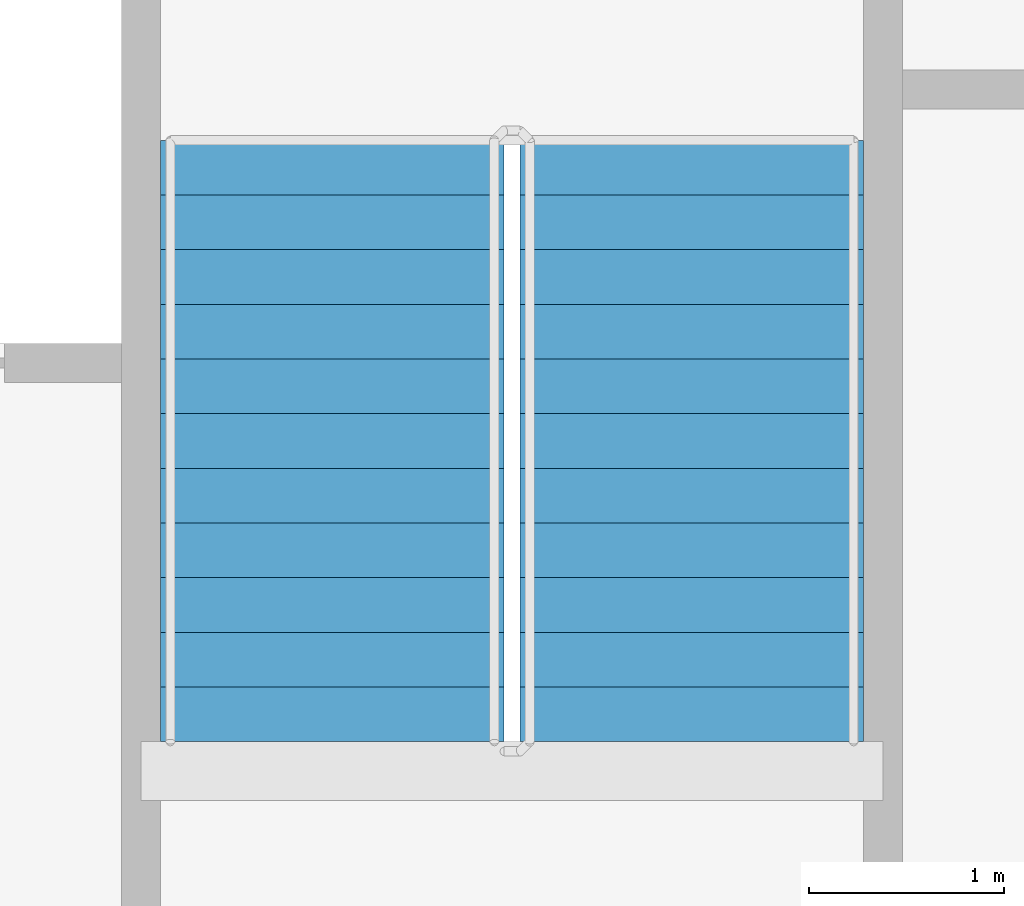
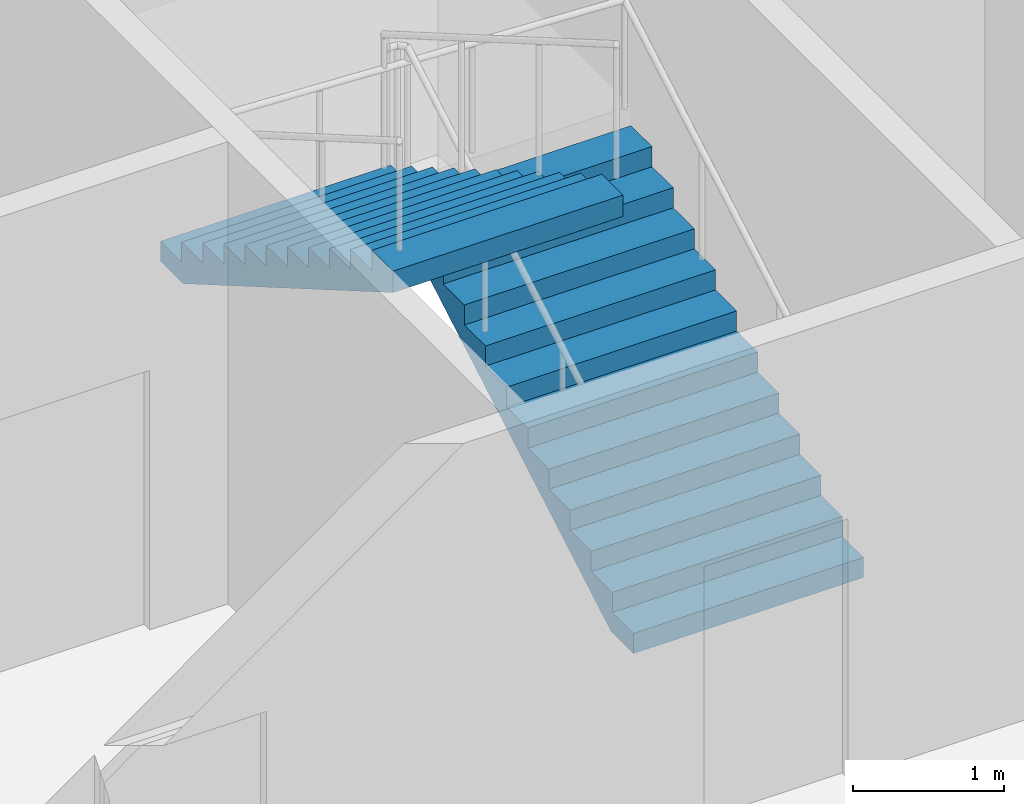
# One storey, part 10 of 15: 2 stair flights, 1 element without a shape of its own.
"""IFC4 building model written with IfcOpenShell, lengths in metres."""

from ifc_helpers import new_model, si_unit, direction, frame, origin, place, context, subcontext, project, spatial, faceted_brep, material, type_object, element, aggregate, save


model = new_model("IFC4")

# Units and contexts
model_context = context("Model", 3, precision=1e-05, world=origin(), true_north=direction((0.0, 1.0)))
body_context = subcontext(model_context, "Body", "Model", "MODEL_VIEW")
ifc_project = project(units=[si_unit("LENGTHUNIT", "METRE"), si_unit("AREAUNIT", "SQUARE_METRE"), si_unit("VOLUMEUNIT", "CUBIC_METRE"), si_unit("PLANEANGLEUNIT", "RADIAN"), si_unit("MASSUNIT", "GRAM", prefix="KILO")], contexts=[model_context])

# Site, building, storey
site_placement = place(None, origin())
site = spatial("IfcSite", under=ifc_project, at=site_placement, CompositionType="ELEMENT")
building_placement = place(site_placement, origin())
building = spatial("IfcBuilding", under=site, at=building_placement, Name="Tarsis Ring Headquarters", CompositionType="ELEMENT")
storey_placement = place(building_placement, frame((0.0, 0.0, 75.10009765625)))
storey = spatial("IfcBuildingStorey", under=building, at=storey_placement, Name="L16", CompositionType="ELEMENT", Elevation=75.10009765625)

# Stair, stair flights
ifc_material_1 = material(Name="Core stair 1760")
stair_type = type_object("IfcStairType", Name="Core stair 1760", PredefinedType="HALF_TURN_STAIR", material=ifc_material_1)
stair_placement = place(storey_placement, origin())
stair = element("IfcStair", 1, at=stair_placement, inside=storey, type_object=stair_type, Name="L16 Exit stair B", PredefinedType="HALF_TURN_STAIR")
ifc_material_2 = material(Name="Concrete C40/50", Category="concrete")
stair_flight_type = type_object("IfcStairFlightType", Name="Core stair flight 1760", PredefinedType="STRAIGHT", material=ifc_material_2)
stair_flight_1_placement = place(storey_placement, frame((5.419921875, 3.659912109375, 0.0), z_axis=(0.0, 0.0, 1.0), x_axis=(0.0, 1.0, 0.0)))
stair_flight_1 = element("IfcStairFlight", 2, at=stair_flight_1_placement, type_object=stair_flight_type, Name="Stair ST2 flight 1", NumberOfRisers=12, NumberOfTreads=11, PredefinedType="STRAIGHT", RiserHeight=0.1625, TreadLength=0.28, context=body_context, shape_type="Brep", body=[
    faceted_brep([(0.0, 0.8798828125, 0.0), (0.0, 0.8798828125, 0.16259765625), (0.280029296875, 0.8798828125, 0.16259765625), (0.280029296875, 0.8798828125, 0.324951171875), (0.56005859375, 0.8798828125, 0.324951171875), (0.56005859375, 0.8798828125, 0.487548828125), (0.840087890625, 0.8798828125, 0.487548828125), (0.840087890625, 0.8798828125, 0.64990234375), (1.1201171875, 0.8798828125, 0.64990234375), (1.1201171875, 0.8798828125, 0.8125), (1.39990234375, 0.8798828125, 0.8125), (1.39990234375, 0.8798828125, 0.97509765625), (1.679931640625, 0.8798828125, 0.97509765625), (1.679931640625, 0.8798828125, 1.137451171875), (1.9599609375, 0.8798828125, 1.137451171875), (1.9599609375, 0.8798828125, 1.300048828125), (2.239990234375, 0.8798828125, 1.300048828125), (2.239990234375, 0.8798828125, 1.46240234375), (2.52001953125, 0.8798828125, 1.46240234375), (2.52001953125, 0.8798828125, 1.625), (2.800048828125, 0.8798828125, 1.625), (2.800048828125, 0.8798828125, 1.78759765625), (3.080078125, 0.8798828125, 1.78759765625), (3.080078125, 0.8798828125, 1.6142578125), (0.298583984375, 0.8798828125, 0.0), (0.298583984375, -0.8798828125, 0.0), (3.080078125, -0.8798828125, 1.6142578125), (3.080078125, -0.8798828125, 1.78759765625), (2.800048828125, -0.8798828125, 1.78759765625), (2.800048828125, -0.8798828125, 1.625), (2.52001953125, -0.8798828125, 1.625), (2.52001953125, -0.8798828125, 1.46240234375), (2.239990234375, -0.8798828125, 1.46240234375), (2.239990234375, -0.8798828125, 1.300048828125), (1.9599609375, -0.8798828125, 1.300048828125), (1.9599609375, -0.8798828125, 1.137451171875), (1.679931640625, -0.8798828125, 1.137451171875), (1.679931640625, -0.8798828125, 0.97509765625), (1.39990234375, -0.8798828125, 0.97509765625), (1.39990234375, -0.8798828125, 0.8125), (1.1201171875, -0.8798828125, 0.8125), (1.1201171875, -0.8798828125, 0.64990234375), (0.840087890625, -0.8798828125, 0.64990234375), (0.840087890625, -0.8798828125, 0.487548828125), (0.56005859375, -0.8798828125, 0.487548828125), (0.56005859375, -0.8798828125, 0.324951171875), (0.280029296875, -0.8798828125, 0.324951171875), (0.280029296875, -0.8798828125, 0.16259765625), (0.0, -0.8798828125, 0.16259765625), (0.0, -0.8798828125, 0.0), (0.0, -0.43994140625, 0.16259765625), (0.0, -0.43994140625, 0.0), (0.0, 0.0, 0.16259765625), (0.0, 0.0, 0.0), (0.0, 0.43994140625, 0.16259765625), (0.0, 0.43994140625, 0.0), (0.280029296875, -0.43994140625, 0.16259765625), (0.280029296875, 0.0, 0.16259765625), (0.280029296875, 0.43994140625, 0.16259765625), (0.280029296875, -0.43994140625, 0.324951171875), (0.280029296875, 0.0, 0.324951171875), (0.280029296875, 0.43994140625, 0.324951171875), (0.56005859375, -0.43994140625, 0.324951171875), (0.56005859375, 0.0, 0.324951171875), (0.56005859375, 0.43994140625, 0.324951171875), (0.56005859375, -0.43994140625, 0.487548828125), (0.56005859375, 0.0, 0.487548828125), (0.56005859375, 0.43994140625, 0.487548828125), (0.840087890625, -0.43994140625, 0.487548828125), (0.840087890625, 0.0, 0.487548828125), (0.840087890625, 0.43994140625, 0.487548828125), (0.840087890625, -0.43994140625, 0.64990234375), (0.840087890625, 0.0, 0.64990234375), (0.840087890625, 0.43994140625, 0.64990234375), (1.1201171875, -0.43994140625, 0.64990234375), (1.1201171875, 0.0, 0.64990234375), (1.1201171875, 0.43994140625, 0.64990234375), (1.1201171875, -0.43994140625, 0.8125), (1.1201171875, 0.0, 0.8125), (1.1201171875, 0.43994140625, 0.8125), (1.39990234375, -0.43994140625, 0.8125), (1.39990234375, 0.0, 0.8125), (1.39990234375, 0.43994140625, 0.8125), (1.39990234375, -0.43994140625, 0.97509765625), (1.39990234375, 0.0, 0.97509765625), (1.39990234375, 0.43994140625, 0.97509765625), (1.679931640625, -0.43994140625, 0.97509765625), (1.679931640625, 0.0, 0.97509765625), (1.679931640625, 0.43994140625, 0.97509765625), (1.679931640625, -0.43994140625, 1.137451171875), (1.679931640625, 0.0, 1.137451171875), (1.679931640625, 0.43994140625, 1.137451171875), (1.9599609375, -0.43994140625, 1.137451171875), (1.9599609375, 0.0, 1.137451171875), (1.9599609375, 0.43994140625, 1.137451171875), (1.9599609375, -0.43994140625, 1.300048828125), (1.9599609375, 0.0, 1.300048828125), (1.9599609375, 0.43994140625, 1.300048828125), (2.239990234375, -0.43994140625, 1.300048828125), (2.239990234375, 0.0, 1.300048828125), (2.239990234375, 0.43994140625, 1.300048828125), (2.239990234375, -0.43994140625, 1.46240234375), (2.239990234375, 0.0, 1.46240234375), (2.239990234375, 0.43994140625, 1.46240234375), (2.52001953125, -0.43994140625, 1.46240234375), (2.52001953125, 0.0, 1.46240234375), (2.52001953125, 0.43994140625, 1.46240234375), (2.52001953125, -0.43994140625, 1.625), (2.52001953125, 0.0, 1.625), (2.52001953125, 0.43994140625, 1.625), (2.800048828125, -0.43994140625, 1.625), (2.800048828125, 0.0, 1.625), (2.800048828125, 0.43994140625, 1.625), (2.800048828125, -0.43994140625, 1.78759765625), (2.800048828125, 0.0, 1.78759765625), (2.800048828125, 0.43994140625, 1.78759765625), (3.080078125, -0.43994140625, 1.78759765625), (3.080078125, 0.0, 1.78759765625), (3.080078125, 0.43994140625, 1.78759765625), (3.080078125, -0.43994140625, 1.6142578125), (3.080078125, 0.0, 1.6142578125), (3.080078125, 0.43994140625, 1.6142578125), (0.298583984375, -0.43994140625, 0.0), (0.298583984375, 0.0, 0.0), (0.298583984375, 0.43994140625, 0.0)], [[[0, 1, 2, 3, 4, 5, 6, 7, 8, 9, 10, 11, 12, 13, 14, 15, 16, 17, 18, 19, 20, 21, 22, 23, 24]], [[25, 26, 27, 28, 29, 30, 31, 32, 33, 34, 35, 36, 37, 38, 39, 40, 41, 42, 43, 44, 45, 46, 47, 48, 49]], [[49, 48, 50, 51]], [[51, 50, 52, 53]], [[53, 52, 54, 55]], [[55, 54, 1, 0]], [[48, 47, 56, 50]], [[50, 56, 57, 52]], [[52, 57, 58, 54]], [[54, 58, 2, 1]], [[47, 46, 59, 56]], [[56, 59, 60, 57]], [[57, 60, 61, 58]], [[58, 61, 3, 2]], [[46, 45, 62, 59]], [[59, 62, 63, 60]], [[60, 63, 64, 61]], [[61, 64, 4, 3]], [[45, 44, 65, 62]], [[62, 65, 66, 63]], [[63, 66, 67, 64]], [[64, 67, 5, 4]], [[44, 43, 68, 65]], [[65, 68, 69, 66]], [[66, 69, 70, 67]], [[67, 70, 6, 5]], [[43, 42, 71, 68]], [[68, 71, 72, 69]], [[69, 72, 73, 70]], [[70, 73, 7, 6]], [[42, 41, 74, 71]], [[71, 74, 75, 72]], [[72, 75, 76, 73]], [[73, 76, 8, 7]], [[41, 40, 77, 74]], [[74, 77, 78, 75]], [[75, 78, 79, 76]], [[76, 79, 9, 8]], [[40, 39, 80, 77]], [[77, 80, 81, 78]], [[78, 81, 82, 79]], [[79, 82, 10, 9]], [[39, 38, 83, 80]], [[80, 83, 84, 81]], [[81, 84, 85, 82]], [[82, 85, 11, 10]], [[38, 37, 86, 83]], [[83, 86, 87, 84]], [[84, 87, 88, 85]], [[85, 88, 12, 11]], [[37, 36, 89, 86]], [[86, 89, 90, 87]], [[87, 90, 91, 88]], [[88, 91, 13, 12]], [[36, 35, 92, 89]], [[89, 92, 93, 90]], [[90, 93, 94, 91]], [[91, 94, 14, 13]], [[35, 34, 95, 92]], [[92, 95, 96, 93]], [[93, 96, 97, 94]], [[94, 97, 15, 14]], [[34, 33, 98, 95]], [[95, 98, 99, 96]], [[96, 99, 100, 97]], [[97, 100, 16, 15]], [[33, 32, 101, 98]], [[98, 101, 102, 99]], [[99, 102, 103, 100]], [[100, 103, 17, 16]], [[32, 31, 104, 101]], [[101, 104, 105, 102]], [[102, 105, 106, 103]], [[103, 106, 18, 17]], [[31, 30, 107, 104]], [[104, 107, 108, 105]], [[105, 108, 109, 106]], [[106, 109, 19, 18]], [[30, 29, 110, 107]], [[107, 110, 111, 108]], [[108, 111, 112, 109]], [[109, 112, 20, 19]], [[29, 28, 113, 110]], [[110, 113, 114, 111]], [[111, 114, 115, 112]], [[112, 115, 21, 20]], [[28, 27, 116, 113]], [[113, 116, 117, 114]], [[114, 117, 118, 115]], [[115, 118, 22, 21]], [[27, 26, 119, 116]], [[116, 119, 120, 117]], [[117, 120, 121, 118]], [[118, 121, 23, 22]], [[26, 25, 122, 119]], [[119, 122, 123, 120]], [[120, 123, 124, 121]], [[121, 124, 24, 23]], [[25, 49, 51, 122]], [[122, 51, 53, 123]], [[123, 53, 55, 124]], [[124, 55, 0, 24]]]),
])
stair_flight_2_placement = place(storey_placement, frame((3.580078125, 6.739990234375, 1.949951171875), z_axis=(0.0, 0.0, 1.0), x_axis=(0.0, -1.0, 0.0)))
stair_flight_2 = element("IfcStairFlight", 3, at=stair_flight_2_placement, type_object=stair_flight_type, Name="Stair ST2 flight 2", NumberOfRisers=12, NumberOfTreads=11, PredefinedType="STRAIGHT", RiserHeight=0.1625, TreadLength=0.28, context=body_context, shape_type="Brep", body=[
    faceted_brep([(0.0, 0.8798828125, 0.0), (0.0, 0.8798828125, 0.16259765625), (0.280029296875, 0.8798828125, 0.16259765625), (0.280029296875, 0.8798828125, 0.324951171875), (0.56005859375, 0.8798828125, 0.324951171875), (0.56005859375, 0.8798828125, 0.487548828125), (0.840087890625, 0.8798828125, 0.487548828125), (0.840087890625, 0.8798828125, 0.64990234375), (1.1201171875, 0.8798828125, 0.64990234375), (1.1201171875, 0.8798828125, 0.8125), (1.39990234375, 0.8798828125, 0.8125), (1.39990234375, 0.8798828125, 0.97509765625), (1.679931640625, 0.8798828125, 0.97509765625), (1.679931640625, 0.8798828125, 1.137451171875), (1.9599609375, 0.8798828125, 1.137451171875), (1.9599609375, 0.8798828125, 1.300048828125), (2.239990234375, 0.8798828125, 1.300048828125), (2.239990234375, 0.8798828125, 1.46240234375), (2.52001953125, 0.8798828125, 1.46240234375), (2.52001953125, 0.8798828125, 1.625), (2.800048828125, 0.8798828125, 1.625), (2.800048828125, 0.8798828125, 1.78759765625), (3.080078125, 0.8798828125, 1.78759765625), (3.080078125, 0.8798828125, 1.6142578125), (0.298583984375, 0.8798828125, 0.0), (0.298583984375, -0.8798828125, 0.0), (3.080078125, -0.8798828125, 1.6142578125), (3.080078125, -0.8798828125, 1.78759765625), (2.800048828125, -0.8798828125, 1.78759765625), (2.800048828125, -0.8798828125, 1.625), (2.52001953125, -0.8798828125, 1.625), (2.52001953125, -0.8798828125, 1.46240234375), (2.239990234375, -0.8798828125, 1.46240234375), (2.239990234375, -0.8798828125, 1.300048828125), (1.9599609375, -0.8798828125, 1.300048828125), (1.9599609375, -0.8798828125, 1.137451171875), (1.679931640625, -0.8798828125, 1.137451171875), (1.679931640625, -0.8798828125, 0.97509765625), (1.39990234375, -0.8798828125, 0.97509765625), (1.39990234375, -0.8798828125, 0.8125), (1.1201171875, -0.8798828125, 0.8125), (1.1201171875, -0.8798828125, 0.64990234375), (0.840087890625, -0.8798828125, 0.64990234375), (0.840087890625, -0.8798828125, 0.487548828125), (0.56005859375, -0.8798828125, 0.487548828125), (0.56005859375, -0.8798828125, 0.324951171875), (0.280029296875, -0.8798828125, 0.324951171875), (0.280029296875, -0.8798828125, 0.16259765625), (0.0, -0.8798828125, 0.16259765625), (0.0, -0.8798828125, 0.0), (0.0, -0.43994140625, 0.16259765625), (0.0, -0.43994140625, 0.0), (0.0, 0.0, 0.16259765625), (0.0, 0.0, 0.0), (0.0, 0.43994140625, 0.16259765625), (0.0, 0.43994140625, 0.0), (0.280029296875, -0.43994140625, 0.16259765625), (0.280029296875, 0.0, 0.16259765625), (0.280029296875, 0.43994140625, 0.16259765625), (0.280029296875, -0.43994140625, 0.324951171875), (0.280029296875, 0.0, 0.324951171875), (0.280029296875, 0.43994140625, 0.324951171875), (0.56005859375, -0.43994140625, 0.324951171875), (0.56005859375, 0.0, 0.324951171875), (0.56005859375, 0.43994140625, 0.324951171875), (0.56005859375, -0.43994140625, 0.487548828125), (0.56005859375, 0.0, 0.487548828125), (0.56005859375, 0.43994140625, 0.487548828125), (0.840087890625, -0.43994140625, 0.487548828125), (0.840087890625, 0.0, 0.487548828125), (0.840087890625, 0.43994140625, 0.487548828125), (0.840087890625, -0.43994140625, 0.64990234375), (0.840087890625, 0.0, 0.64990234375), (0.840087890625, 0.43994140625, 0.64990234375), (1.1201171875, -0.43994140625, 0.64990234375), (1.1201171875, 0.0, 0.64990234375), (1.1201171875, 0.43994140625, 0.64990234375), (1.1201171875, -0.43994140625, 0.8125), (1.1201171875, 0.0, 0.8125), (1.1201171875, 0.43994140625, 0.8125), (1.39990234375, -0.43994140625, 0.8125), (1.39990234375, 0.0, 0.8125), (1.39990234375, 0.43994140625, 0.8125), (1.39990234375, -0.43994140625, 0.97509765625), (1.39990234375, 0.0, 0.97509765625), (1.39990234375, 0.43994140625, 0.97509765625), (1.679931640625, -0.43994140625, 0.97509765625), (1.679931640625, 0.0, 0.97509765625), (1.679931640625, 0.43994140625, 0.97509765625), (1.679931640625, -0.43994140625, 1.137451171875), (1.679931640625, 0.0, 1.137451171875), (1.679931640625, 0.43994140625, 1.137451171875), (1.9599609375, -0.43994140625, 1.137451171875), (1.9599609375, 0.0, 1.137451171875), (1.9599609375, 0.43994140625, 1.137451171875), (1.9599609375, -0.43994140625, 1.300048828125), (1.9599609375, 0.0, 1.300048828125), (1.9599609375, 0.43994140625, 1.300048828125), (2.239990234375, -0.43994140625, 1.300048828125), (2.239990234375, 0.0, 1.300048828125), (2.239990234375, 0.43994140625, 1.300048828125), (2.239990234375, -0.43994140625, 1.46240234375), (2.239990234375, 0.0, 1.46240234375), (2.239990234375, 0.43994140625, 1.46240234375), (2.52001953125, -0.43994140625, 1.46240234375), (2.52001953125, 0.0, 1.46240234375), (2.52001953125, 0.43994140625, 1.46240234375), (2.52001953125, -0.43994140625, 1.625), (2.52001953125, 0.0, 1.625), (2.52001953125, 0.43994140625, 1.625), (2.800048828125, -0.43994140625, 1.625), (2.800048828125, 0.0, 1.625), (2.800048828125, 0.43994140625, 1.625), (2.800048828125, -0.43994140625, 1.78759765625), (2.800048828125, 0.0, 1.78759765625), (2.800048828125, 0.43994140625, 1.78759765625), (3.080078125, -0.43994140625, 1.78759765625), (3.080078125, 0.0, 1.78759765625), (3.080078125, 0.43994140625, 1.78759765625), (3.080078125, -0.43994140625, 1.6142578125), (3.080078125, 0.0, 1.6142578125), (3.080078125, 0.43994140625, 1.6142578125), (0.298583984375, -0.43994140625, 0.0), (0.298583984375, 0.0, 0.0), (0.298583984375, 0.43994140625, 0.0)], [[[0, 1, 2, 3, 4, 5, 6, 7, 8, 9, 10, 11, 12, 13, 14, 15, 16, 17, 18, 19, 20, 21, 22, 23, 24]], [[25, 26, 27, 28, 29, 30, 31, 32, 33, 34, 35, 36, 37, 38, 39, 40, 41, 42, 43, 44, 45, 46, 47, 48, 49]], [[49, 48, 50, 51]], [[51, 50, 52, 53]], [[53, 52, 54, 55]], [[55, 54, 1, 0]], [[48, 47, 56, 50]], [[50, 56, 57, 52]], [[52, 57, 58, 54]], [[54, 58, 2, 1]], [[47, 46, 59, 56]], [[56, 59, 60, 57]], [[57, 60, 61, 58]], [[58, 61, 3, 2]], [[46, 45, 62, 59]], [[59, 62, 63, 60]], [[60, 63, 64, 61]], [[61, 64, 4, 3]], [[45, 44, 65, 62]], [[62, 65, 66, 63]], [[63, 66, 67, 64]], [[64, 67, 5, 4]], [[44, 43, 68, 65]], [[65, 68, 69, 66]], [[66, 69, 70, 67]], [[67, 70, 6, 5]], [[43, 42, 71, 68]], [[68, 71, 72, 69]], [[69, 72, 73, 70]], [[70, 73, 7, 6]], [[42, 41, 74, 71]], [[71, 74, 75, 72]], [[72, 75, 76, 73]], [[73, 76, 8, 7]], [[41, 40, 77, 74]], [[74, 77, 78, 75]], [[75, 78, 79, 76]], [[76, 79, 9, 8]], [[40, 39, 80, 77]], [[77, 80, 81, 78]], [[78, 81, 82, 79]], [[79, 82, 10, 9]], [[39, 38, 83, 80]], [[80, 83, 84, 81]], [[81, 84, 85, 82]], [[82, 85, 11, 10]], [[38, 37, 86, 83]], [[83, 86, 87, 84]], [[84, 87, 88, 85]], [[85, 88, 12, 11]], [[37, 36, 89, 86]], [[86, 89, 90, 87]], [[87, 90, 91, 88]], [[88, 91, 13, 12]], [[36, 35, 92, 89]], [[89, 92, 93, 90]], [[90, 93, 94, 91]], [[91, 94, 14, 13]], [[35, 34, 95, 92]], [[92, 95, 96, 93]], [[93, 96, 97, 94]], [[94, 97, 15, 14]], [[34, 33, 98, 95]], [[95, 98, 99, 96]], [[96, 99, 100, 97]], [[97, 100, 16, 15]], [[33, 32, 101, 98]], [[98, 101, 102, 99]], [[99, 102, 103, 100]], [[100, 103, 17, 16]], [[32, 31, 104, 101]], [[101, 104, 105, 102]], [[102, 105, 106, 103]], [[103, 106, 18, 17]], [[31, 30, 107, 104]], [[104, 107, 108, 105]], [[105, 108, 109, 106]], [[106, 109, 19, 18]], [[30, 29, 110, 107]], [[107, 110, 111, 108]], [[108, 111, 112, 109]], [[109, 112, 20, 19]], [[29, 28, 113, 110]], [[110, 113, 114, 111]], [[111, 114, 115, 112]], [[112, 115, 21, 20]], [[28, 27, 116, 113]], [[113, 116, 117, 114]], [[114, 117, 118, 115]], [[115, 118, 22, 21]], [[27, 26, 119, 116]], [[116, 119, 120, 117]], [[117, 120, 121, 118]], [[118, 121, 23, 22]], [[26, 25, 122, 119]], [[119, 122, 123, 120]], [[120, 123, 124, 121]], [[121, 124, 24, 23]], [[25, 49, 51, 122]], [[122, 51, 53, 123]], [[123, 53, 55, 124]], [[124, 55, 0, 24]]]),
])
aggregate(stair, [stair_flight_1, stair_flight_2])

save(model, "model.ifc")
